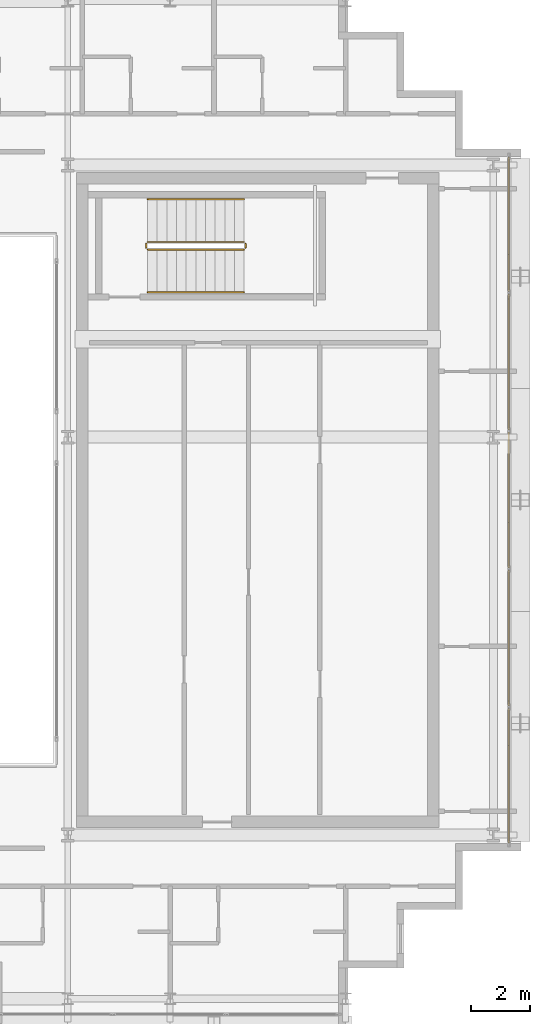
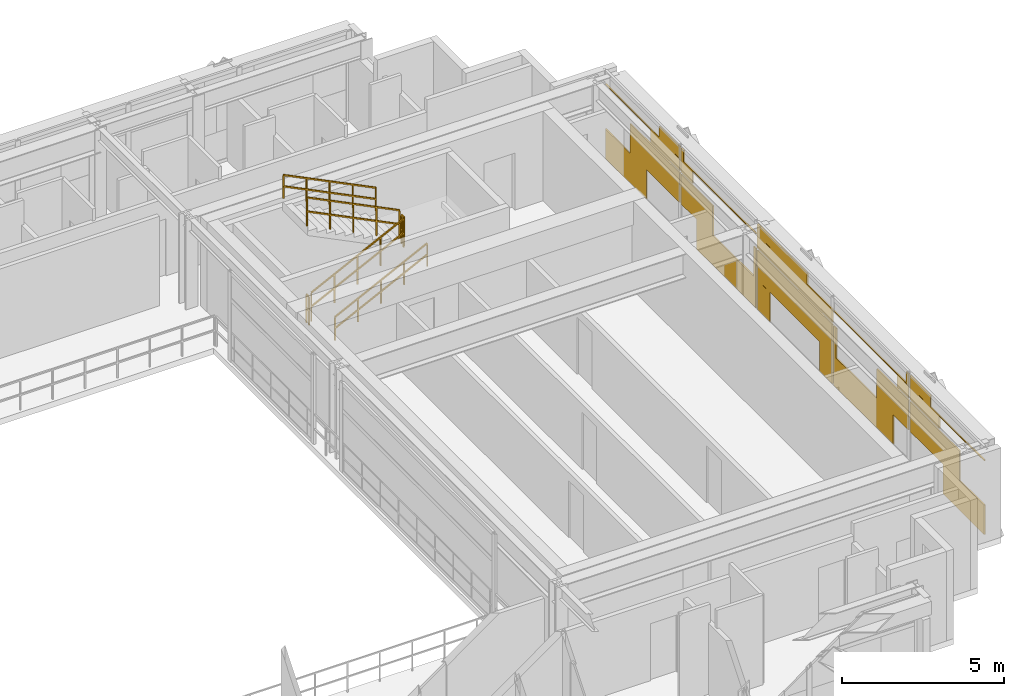
# One storey, part 28 of 29: 6 railings, 1 covering.
"""IFC4 building model written with IfcOpenShell, lengths in metres."""

import ifcopenshell
import ifcopenshell.guid

model = None  # the IFC model being written
_history = None  # IfcOwnerHistory: only IFC2X3 demands one
_inside = {}  # id of a spatial element -> (the spatial element, [elements in it])
_under = {}  # id of a project, library or spatial element -> (it, [spatial elements below it])
_declared = {}  # id of a project -> (the project, [libraries it declares])
_typed = {}  # id of a type object -> (the type object, [elements of that type])
_made_of = {}  # id of a material, layer set ... -> (it, [elements and type objects made of it])


def new_model(schema):
    """Start an empty IFC model of exactly this schema.

    Asked for "IFC4X3", IfcOpenShell would pick the latest addendum, in which some entities
    have other attributes; the version numbers below select the first issue.
    IFC2X3 requires an IfcOwnerHistory on every rooted entity: one is made here for all.
    """
    global model, _history
    if schema == "IFC4X3":
        model = ifcopenshell.file(schema_version=(4, 3, 0, 0))
    else:
        model = ifcopenshell.file(schema=schema)
    _inside.clear()
    _under.clear()
    _declared.clear()
    _typed.clear()
    _made_of.clear()
    _history = None
    if model.schema == "IFC2X3":
        org = make("IfcOrganization", Name="unknown")
        user = make(
            "IfcPersonAndOrganization",
            ThePerson=make("IfcPerson", FamilyName="unknown"),
            TheOrganization=org,
        )
        app = make(
            "IfcApplication",
            ApplicationDeveloper=org,
            Version="unknown",
            ApplicationFullName="unknown",
            ApplicationIdentifier="unknown",
        )
        _history = make(
            "IfcOwnerHistory",
            OwningUser=user,
            OwningApplication=app,
            ChangeAction="ADDED",
            CreationDate=0,
        )
    return model


def make(cls, **values):
    """One entity of the class cls with the attributes given. An attribute that is None is left unset."""
    return model.create_entity(
        cls, **{name: value for name, value in values.items() if value is not None}
    )


def rooted(cls, **values):
    """An entity with a GlobalId (a new one), such as an element, a storey or a relation."""
    return make(cls, GlobalId=ifcopenshell.guid.new(), OwnerHistory=_history, **values)


def si_unit(unit_type, name, prefix=None):
    """IfcSIUnit, for example si_unit("LENGTHUNIT", "METRE", prefix="MILLI")."""
    return make("IfcSIUnit", UnitType=unit_type, Prefix=prefix, Name=name)


def assignment(units):
    """IfcUnitAssignment: the units of a project."""
    return None if units is None else make("IfcUnitAssignment", Units=units)


def point(xyz):
    """IfcCartesianPoint."""
    return None if xyz is None else make("IfcCartesianPoint", Coordinates=xyz)


def direction(xyz):
    """IfcDirection."""
    return None if xyz is None else make("IfcDirection", DirectionRatios=xyz)


def frame(location, z_axis=None, x_axis=None):
    """IfcAxis2Placement3D, a coordinate frame: its origin and axes. An axis left out is left unset."""
    return make(
        "IfcAxis2Placement3D",
        Location=point(location),
        Axis=direction(z_axis),
        RefDirection=direction(x_axis),
    )


def frame_2d(location, x_axis=None):
    """IfcAxis2Placement2D, a coordinate frame in the plane: its origin and x axis."""
    return make(
        "IfcAxis2Placement2D", Location=point(location), RefDirection=direction(x_axis)
    )


def origin():
    """The frame at (0, 0, 0) with its axes left unset."""
    return frame((0.0, 0.0, 0.0))


def origin_2d():
    """The frame at (0, 0) in the plane with its x axis left unset."""
    return frame_2d((0.0, 0.0))


def place(relative_to, where):
    """IfcLocalPlacement: puts the frame where relative to a parent placement (None: the world)."""
    return make(
        "IfcLocalPlacement", PlacementRelTo=relative_to, RelativePlacement=where
    )


def context(
    kind, dimensions, precision=None, world=None, true_north=None, identifier=None
):
    """IfcGeometricRepresentationContext, for example the 3D "Model" context."""
    return make(
        "IfcGeometricRepresentationContext",
        ContextIdentifier=identifier,
        ContextType=kind,
        CoordinateSpaceDimension=dimensions,
        Precision=precision,
        WorldCoordinateSystem=world,
        TrueNorth=true_north,
    )


def subcontext(parent, identifier, kind, view, scale=None):
    """IfcGeometricRepresentationSubContext, for example "Body" below "Model"."""
    return make(
        "IfcGeometricRepresentationSubContext",
        ContextIdentifier=identifier,
        ContextType=kind,
        ParentContext=parent,
        TargetScale=scale,
        TargetView=view,
    )


def project(units=None, contexts=None):
    """IfcProject with its units and contexts."""
    return rooted(
        "IfcProject",
        Name="project",
        RepresentationContexts=contexts,
        UnitsInContext=assignment(units),
    )


def spatial(cls, under=None, at=None, **own):
    """A site, building, storey or space (cls), placed at a placement, below another one or the project."""
    s = rooted(cls, ObjectPlacement=at, **own)
    if under is not None:
        _under.setdefault(under.id(), (under, []))[1].append(s)
    return s


def profile(cls, at=None, kind="AREA", **sizes):
    """A parametric profile (cls). Its sizes go by their IFC names, for example OverallWidth=200.0."""
    return make(cls, ProfileType=kind, Position=at, **sizes)


def rectangle(**sizes):
    """IfcRectangleProfileDef."""
    return profile("IfcRectangleProfileDef", **sizes)


def extrude(swept, where, along, depth):
    """IfcExtrudedAreaSolid: the profile swept, set in the frame where, extruded along a direction by depth."""
    return make(
        "IfcExtrudedAreaSolid",
        SweptArea=swept,
        Position=where,
        ExtrudedDirection=direction(along),
        Depth=depth,
    )


def shape(context_of_items, identifier, shape_type, items):
    """IfcShapeRepresentation: the items that make up one representation, for example the "Body"."""
    return make(
        "IfcShapeRepresentation",
        ContextOfItems=context_of_items,
        RepresentationIdentifier=identifier,
        RepresentationType=shape_type,
        Items=items,
    )


def material(Name=None, Category=None):
    """IfcMaterial."""
    return make("IfcMaterial", Name=Name, Category=Category)


def layer(
    of_material, thickness, ventilated=None, Name=None, Category=None, Priority=None
):
    """IfcMaterialLayer: one layer of a wall or slab, of a material (None: an air gap)."""
    return make(
        "IfcMaterialLayer",
        Material=of_material,
        LayerThickness=thickness,
        IsVentilated=ventilated,
        Name=Name,
        Category=Category,
        Priority=Priority,
    )


def layer_set(layers, Name=None):
    """IfcMaterialLayerSet."""
    return make("IfcMaterialLayerSet", MaterialLayers=layers, LayerSetName=Name)


def made_of(thing, what):
    """Note that an element or type object is made of a material, layer set ...; save() writes the relation."""
    if what is not None:
        _made_of.setdefault(what.id(), (what, []))[1].append(thing)
    return thing


def type_object(cls, material=None, **own):
    """A type object (cls), such as IfcWallType, which elements share."""
    return made_of(rooted(cls, **own), material)


def element(
    cls,
    number,
    at=None,
    inside=None,
    cuts=None,
    type_object=None,
    material=None,
    context=None,
    identifier="Body",
    shape_type=None,
    held_by="IfcProductDefinitionShape",
    body=None,
    shapes=None,
    **own,
):
    """One element of the class cls, such as IfcWall. Its Tag is "e" and its number.

    at: its placement. inside: the storey or other place that contains it. cuts: it is an
    opening in that element (IfcRelVoidsElement). A single representation is given by context,
    identifier, shape_type and body (its items); several are given by shapes. held_by: the class
    of the entity that holds the representations. save() writes the other relations.
    """
    e = rooted(cls, Tag="e%d" % number, ObjectPlacement=at, **own)
    if body is not None:
        shapes = [shape(context, identifier, shape_type, body)]
    if shapes is not None:
        e.Representation = make(held_by, Representations=shapes)
    if inside is not None:
        _inside.setdefault(inside.id(), (inside, []))[1].append(e)
    if cuts is not None:
        rooted(
            "IfcRelVoidsElement", RelatingBuildingElement=cuts, RelatedOpeningElement=e
        )
    if type_object is not None:
        _typed.setdefault(type_object.id(), (type_object, []))[1].append(e)
    return made_of(e, material)


def aggregate(whole, parts):
    """IfcRelAggregates: a whole, such as a stair, and the parts it consists of."""
    return rooted("IfcRelAggregates", RelatingObject=whole, RelatedObjects=parts)


def save(model, path):
    """Write the relations noted so far, then the file.

    IfcRelAggregates (storeys below a building ...), IfcRelContainedInSpatialStructure (elements
    in a storey), IfcRelDefinesByType, IfcRelAssociatesMaterial and IfcRelDeclares: one each for
    every whole, place, type object, material and project.
    """
    for whole, parts in _under.values():
        aggregate(whole, parts)
    for where, things in _inside.values():
        rooted(
            "IfcRelContainedInSpatialStructure",
            RelatedElements=things,
            RelatingStructure=where,
        )
    for kind, things in _typed.values():
        rooted("IfcRelDefinesByType", RelatedObjects=things, RelatingType=kind)
    for what, things in _made_of.values():
        rooted("IfcRelAssociatesMaterial", RelatedObjects=things, RelatingMaterial=what)
    for by, libraries in _declared.values():
        rooted("IfcRelDeclares", RelatingContext=by, RelatedDefinitions=libraries)
    model.write(path)


model = new_model("IFC4")

# Units and contexts
model_context = context("Model", 3, precision=1e-05, world=origin(), true_north=direction((0.0, 1.0)))
body_context = subcontext(model_context, "Body", "Model", "MODEL_VIEW")
ifc_project = project(units=[si_unit("LENGTHUNIT", "METRE"), si_unit("AREAUNIT", "SQUARE_METRE"), si_unit("VOLUMEUNIT", "CUBIC_METRE"), si_unit("PLANEANGLEUNIT", "RADIAN"), si_unit("MASSUNIT", "GRAM", prefix="KILO")], contexts=[model_context])

# Site, building, storey
site_placement = place(None, origin())
site = spatial("IfcSite", under=ifc_project, at=site_placement, CompositionType="ELEMENT")
building_placement = place(site_placement, origin())
building = spatial("IfcBuilding", under=site, at=building_placement, Name="Ocotamira Hotel", CompositionType="ELEMENT")
storey_placement = place(building_placement, frame((0.0, 0.0, 236.39990234375)))
storey = spatial("IfcBuildingStorey", under=building, at=storey_placement, Name="L59", CompositionType="ELEMENT", Elevation=236.39990234375)

# Covering
ifc_material_1 = material(Name="Insulated pale-metal aluminium spandrel panel", Category="aluminium")
ifc_layer = layer(ifc_material_1, 0.044921875)
ifc_layer_set = layer_set([ifc_layer], Name="Insulated pale-metal aluminium spandrel panel")
covering_type = type_object("IfcCoveringType", Name="COV-INFILL-45", PredefinedType="CLADDING", material=ifc_layer_set)
covering_placement = place(storey_placement, origin())
element("IfcCovering", 1, at=covering_placement, inside=storey, type_object=covering_type, Name="L59 Curtain Wall Infill CW-5 CW-L59-E", PredefinedType="CLADDING", context=body_context, shape_type="SweptSolid", body=[
    extrude(rectangle(XDim=2.54296875, YDim=0.044921875, at=origin_2d()), frame((55.580078125, 15.552001953125, 0.07568359375), z_axis=(0.0, 0.0, 1.0), x_axis=(0.0, 1.0, 0.0)), (0.0, 0.0, 1.0), 1.117919921875),
    extrude(rectangle(XDim=3.0751953125, YDim=0.044921875, at=origin_2d()), frame((55.580078125, 17.341796875, 1.1943359375), z_axis=(0.0, 0.0, 1.0), x_axis=(0.0, 1.0, 0.0)), (0.0, 0.0, 1.0), 1.117919921875),
    extrude(rectangle(XDim=4.59912109375, YDim=0.044921875, at=origin_2d()), frame((55.580078125, 16.580078125, 2.85888671875), z_axis=(0.0, 0.0, 1.0), x_axis=(0.0, 1.0, 0.0)), (0.0, 0.0, 1.0), 0.033203125),
    extrude(rectangle(XDim=1.809814453125, YDim=0.044921875, at=origin_2d()), frame((55.580078125, 17.974609375, 2.38818359375), z_axis=(0.0, 0.0, 1.0), x_axis=(0.0, 1.0, 0.0)), (0.0, 0.0, 1.0), 0.4697265625),
    extrude(rectangle(XDim=1.274169921875, YDim=0.044921875, at=origin_2d()), frame((55.580078125, 18.242431640625, 2.89306640625), z_axis=(0.0, 0.0, 1.0), x_axis=(0.0, 1.0, 0.0)), (0.0, 0.0, 1.0), 0.41162109375),
    extrude(rectangle(XDim=1.968505859375, YDim=0.044921875, at=origin_2d()), frame((55.580078125, 19.944580078125, 1.1943359375), z_axis=(0.0, 0.0, 1.0), x_axis=(0.0, 1.0, 0.0)), (0.0, 0.0, 1.0), 1.117919921875),
    extrude(rectangle(XDim=3.689697265625, YDim=0.044921875, at=origin_2d()), frame((55.580078125, 21.754638671875, 0.07568359375), z_axis=(0.0, 0.0, 1.0), x_axis=(0.0, 1.0, 0.0)), (0.0, 0.0, 1.0), 1.117919921875),
    extrude(rectangle(XDim=0.161865234375, YDim=0.044921875, at=origin_2d()), frame((55.580078125, 23.5185546875, 1.1943359375), z_axis=(0.0, 0.0, 1.0), x_axis=(0.0, 1.0, 0.0)), (0.0, 0.0, 1.0), 1.117919921875),
    extrude(rectangle(XDim=0.702880859375, YDim=0.044921875, at=origin_2d()), frame((55.580078125, 19.31201171875, 2.38818359375), z_axis=(0.0, 0.0, 1.0), x_axis=(0.0, 1.0, 0.0)), (0.0, 0.0, 1.0), 0.4697265625),
    extrude(rectangle(XDim=4.638916015625, YDim=0.044921875, at=origin_2d()), frame((55.580078125, 21.280029296875, 2.85888671875), z_axis=(0.0, 0.0, 1.0), x_axis=(0.0, 1.0, 0.0)), (0.0, 0.0, 1.0), 0.033203125),
    extrude(rectangle(XDim=0.16748046875, YDim=0.044921875, at=origin_2d()), frame((55.580078125, 19.044189453125, 2.89306640625), z_axis=(0.0, 0.0, 1.0), x_axis=(0.0, 1.0, 0.0)), (0.0, 0.0, 1.0), 0.41162109375),
    extrude(rectangle(XDim=0.7763671875, YDim=0.044921875, at=origin_2d()), frame((55.580078125, 24.068603515625, 0.07568359375), z_axis=(0.0, 0.0, 1.0), x_axis=(0.0, 1.0, 0.0)), (0.0, 0.0, 1.0), 1.117919921875),
    extrude(rectangle(XDim=4.638916015625, YDim=0.044921875, at=origin_2d()), frame((55.580078125, 26.0, 1.1943359375), z_axis=(0.0, 0.0, 1.0), x_axis=(0.0, 1.0, 0.0)), (0.0, 0.0, 1.0), 1.117919921875),
    extrude(rectangle(XDim=0.7763671875, YDim=0.044921875, at=origin_2d()), frame((55.580078125, 27.931396484375, 0.07568359375), z_axis=(0.0, 0.0, 1.0), x_axis=(0.0, 1.0, 0.0)), (0.0, 0.0, 1.0), 1.117919921875),
    extrude(rectangle(XDim=4.638916015625, YDim=0.044921875, at=origin_2d()), frame((55.580078125, 26.0, 2.38818359375), z_axis=(0.0, 0.0, 1.0), x_axis=(0.0, 1.0, 0.0)), (0.0, 0.0, 1.0), 0.50390625),
    extrude(rectangle(XDim=3.080810546875, YDim=0.044921875, at=origin_2d()), frame((55.580078125, 26.779052734375, 2.89306640625), z_axis=(0.0, 0.0, 1.0), x_axis=(0.0, 1.0, 0.0)), (0.0, 0.0, 1.0), 0.41162109375),
    extrude(rectangle(XDim=3.689697265625, YDim=0.044921875, at=origin_2d()), frame((55.580078125, 30.245361328125, 0.07568359375), z_axis=(0.0, 0.0, 1.0), x_axis=(0.0, 1.0, 0.0)), (0.0, 0.0, 1.0), 1.117919921875),
    extrude(rectangle(XDim=0.161865234375, YDim=0.044921875, at=origin_2d()), frame((55.580078125, 28.4814453125, 1.1943359375), z_axis=(0.0, 0.0, 1.0), x_axis=(0.0, 1.0, 0.0)), (0.0, 0.0, 1.0), 1.117919921875),
    extrude(rectangle(XDim=1.968505859375, YDim=0.044921875, at=origin_2d()), frame((55.580078125, 32.055419921875, 1.1943359375), z_axis=(0.0, 0.0, 1.0), x_axis=(0.0, 1.0, 0.0)), (0.0, 0.0, 1.0), 1.117919921875),
    extrude(rectangle(XDim=4.638916015625, YDim=0.044921875, at=origin_2d()), frame((55.580078125, 30.719970703125, 2.85888671875), z_axis=(0.0, 0.0, 1.0), x_axis=(0.0, 1.0, 0.0)), (0.0, 0.0, 1.0), 0.033203125),
    extrude(rectangle(XDim=0.702880859375, YDim=0.044921875, at=origin_2d()), frame((55.580078125, 32.68798828125, 2.38818359375), z_axis=(0.0, 0.0, 1.0), x_axis=(0.0, 1.0, 0.0)), (0.0, 0.0, 1.0), 0.4697265625),
    extrude(rectangle(XDim=0.16748046875, YDim=0.044921875, at=origin_2d()), frame((55.580078125, 32.955810546875, 2.89306640625), z_axis=(0.0, 0.0, 1.0), x_axis=(0.0, 1.0, 0.0)), (0.0, 0.0, 1.0), 0.41162109375),
    extrude(rectangle(XDim=3.0751953125, YDim=0.044921875, at=origin_2d()), frame((55.580078125, 34.658203125, 1.1943359375), z_axis=(0.0, 0.0, 1.0), x_axis=(0.0, 1.0, 0.0)), (0.0, 0.0, 1.0), 1.117919921875),
    extrude(rectangle(XDim=2.54296875, YDim=0.044921875, at=origin_2d()), frame((55.580078125, 36.447998046875, 0.07568359375), z_axis=(0.0, 0.0, 1.0), x_axis=(0.0, 1.0, 0.0)), (0.0, 0.0, 1.0), 1.117919921875),
    extrude(rectangle(XDim=1.809814453125, YDim=0.044921875, at=origin_2d()), frame((55.580078125, 34.025390625, 2.38818359375), z_axis=(0.0, 0.0, 1.0), x_axis=(0.0, 1.0, 0.0)), (0.0, 0.0, 1.0), 0.4697265625),
    extrude(rectangle(XDim=4.59912109375, YDim=0.044921875, at=origin_2d()), frame((55.580078125, 35.419921875, 2.85888671875), z_axis=(0.0, 0.0, 1.0), x_axis=(0.0, 1.0, 0.0)), (0.0, 0.0, 1.0), 0.033203125),
    extrude(rectangle(XDim=1.274169921875, YDim=0.044921875, at=origin_2d()), frame((55.580078125, 33.757568359375, 2.89306640625), z_axis=(0.0, 0.0, 1.0), x_axis=(0.0, 1.0, 0.0)), (0.0, 0.0, 1.0), 0.41162109375),
])

# Railings
ifc_material_2 = material(Name="Brushed stainless steel handrail", Category="steel")
railing_type_1 = type_object("IfcRailingType", Name="RL-HAND-900", PredefinedType="HANDRAIL", material=ifc_material_2)
railing_1_placement = place(storey_placement, frame((43.22998046875, 33.10009765625, 0.327392578125)))
element("IfcRailing", 2, at=railing_1_placement, inside=storey, type_object=railing_type_1, Name="L59 ST-4 stair handrail 1", PredefinedType="HANDRAIL", context=body_context, shape_type="SweptSolid", body=[
    extrude(rectangle(XDim=0.048095703125, YDim=0.048095703125, at=origin_2d()), frame((0.0, 0.0, 0.8759765625), z_axis=(0.895920123917, 0.0, 0.444215186098), x_axis=(0.0, 1.0, 0.0)), (0.0, 0.0, 1.0), 3.683349609375),
    extrude(rectangle(XDim=0.048095703125, YDim=0.048095703125, at=origin_2d()), frame((0.0, 0.0, 0.449951171875), z_axis=(0.895920123917, 0.0, 0.444215186098), x_axis=(0.0, 1.0, 0.0)), (0.0, 0.0, 1.0), 3.683349609375),
    extrude(rectangle(XDim=0.0419921875, YDim=0.0419921875, at=origin_2d()), origin(), (0.0, 0.0, 1.0), 0.851806640625),
    extrude(rectangle(XDim=0.0419921875, YDim=0.0419921875, at=origin_2d()), frame((0.824951171875, 0.0, 0.4091796875)), (0.0, 0.0, 1.0), 0.851806640625),
    extrude(rectangle(XDim=0.0419921875, YDim=0.0419921875, at=origin_2d()), frame((1.64990234375, 0.0, 0.818115234375)), (0.0, 0.0, 1.0), 0.851806640625),
    extrude(rectangle(XDim=0.0419921875, YDim=0.0419921875, at=origin_2d()), frame((2.47509765625, 0.0, 1.22705078125)), (0.0, 0.0, 1.0), 0.851806640625),
    extrude(rectangle(XDim=0.0419921875, YDim=0.0419921875, at=origin_2d()), frame((3.300048828125, 0.0, 1.63623046875)), (0.0, 0.0, 1.0), 0.851806640625),
])
railing_2_placement = place(storey_placement, frame((46.530029296875, 36.280029296875, 2.12744140625)))
element("IfcRailing", 3, at=railing_2_placement, inside=storey, type_object=railing_type_1, Name="L59 ST-4 stair handrail 2", PredefinedType="HANDRAIL", context=body_context, shape_type="SweptSolid", body=[
    extrude(rectangle(XDim=0.048095703125, YDim=0.048095703125, at=origin_2d()), frame((0.0, 0.0, 0.8759765625), z_axis=(-0.895920123917, 0.0, 0.444215186098), x_axis=(0.0, -1.0, 0.0)), (0.0, 0.0, 1.0), 3.683349609375),
    extrude(rectangle(XDim=0.048095703125, YDim=0.048095703125, at=origin_2d()), frame((0.0, 0.0, 0.449951171875), z_axis=(-0.895920123917, 0.0, 0.444215186098), x_axis=(0.0, -1.0, 0.0)), (0.0, 0.0, 1.0), 3.683349609375),
    extrude(rectangle(XDim=0.0419921875, YDim=0.0419921875, at=origin_2d()), origin(), (0.0, 0.0, 1.0), 0.851806640625),
    extrude(rectangle(XDim=0.0419921875, YDim=0.0419921875, at=origin_2d()), frame((-0.824951171875, 0.0, 0.4091796875)), (0.0, 0.0, 1.0), 0.851806640625),
    extrude(rectangle(XDim=0.0419921875, YDim=0.0419921875, at=origin_2d()), frame((-1.64990234375, 0.0, 0.818115234375)), (0.0, 0.0, 1.0), 0.851806640625),
    extrude(rectangle(XDim=0.0419921875, YDim=0.0419921875, at=origin_2d()), frame((-2.47509765625, 0.0, 1.22705078125)), (0.0, 0.0, 1.0), 0.851806640625),
    extrude(rectangle(XDim=0.0419921875, YDim=0.0419921875, at=origin_2d()), frame((-3.300048828125, 0.0, 1.63623046875)), (0.0, 0.0, 1.0), 0.851806640625),
])
ifc_material_3 = material(Name="Painted steel stair guardrail", Category="steel")
railing_type_2 = type_object("IfcRailingType", Name="RL-STAIR-1100", PredefinedType="GUARDRAIL", material=ifc_material_3)
railing_3_placement = place(storey_placement, frame((43.22998046875, 34.56005859375, 0.163818359375)))
element("IfcRailing", 4, at=railing_3_placement, inside=storey, type_object=railing_type_2, Name="L59 ST-4 stair guard 1", PredefinedType="GUARDRAIL", context=body_context, shape_type="SweptSolid", body=[
    extrude(rectangle(XDim=0.048095703125, YDim=0.048095703125, at=origin_2d()), frame((0.0, 0.0, 1.076171875), z_axis=(0.895920123917, 0.0, 0.444215186098), x_axis=(0.0, 1.0, 0.0)), (0.0, 0.0, 1.0), 3.683349609375),
    extrude(rectangle(XDim=0.048095703125, YDim=0.048095703125, at=origin_2d()), frame((0.0, 0.0, 0.550048828125), z_axis=(0.895920123917, 0.0, 0.444215186098), x_axis=(0.0, 1.0, 0.0)), (0.0, 0.0, 1.0), 3.683349609375),
    extrude(rectangle(XDim=0.0419921875, YDim=0.0419921875, at=origin_2d()), origin(), (0.0, 0.0, 1.0), 1.052001953125),
    extrude(rectangle(XDim=0.0419921875, YDim=0.0419921875, at=origin_2d()), frame((0.824951171875, 0.0, 0.4091796875)), (0.0, 0.0, 1.0), 1.052001953125),
    extrude(rectangle(XDim=0.0419921875, YDim=0.0419921875, at=origin_2d()), frame((1.64990234375, 0.0, 0.818115234375)), (0.0, 0.0, 1.0), 1.052001953125),
    extrude(rectangle(XDim=0.0419921875, YDim=0.0419921875, at=origin_2d()), frame((2.47509765625, 0.0, 1.22705078125)), (0.0, 0.0, 1.0), 1.052001953125),
    extrude(rectangle(XDim=0.0419921875, YDim=0.0419921875, at=origin_2d()), frame((3.300048828125, 0.0, 1.63623046875)), (0.0, 0.0, 1.0), 1.052001953125),
])
railing_4_placement = place(storey_placement, frame((46.580078125, 34.610107421875, 1.800048828125)))
element("IfcRailing", 5, at=railing_4_placement, inside=storey, type_object=railing_type_2, Name="L59 ST-4 stair guard 2", PredefinedType="GUARDRAIL", context=body_context, shape_type="SweptSolid", body=[
    extrude(rectangle(XDim=0.048095703125, YDim=0.048095703125, at=origin_2d()), frame((0.0, 0.0, 1.076171875), z_axis=(0.0, 1.0, 0.0), x_axis=(-1.0, 0.0, 0.0)), (0.0, 0.0, 1.0), 0.159912109375),
    extrude(rectangle(XDim=0.048095703125, YDim=0.048095703125, at=origin_2d()), frame((0.0, 0.0, 0.550048828125), z_axis=(0.0, 1.0, 0.0), x_axis=(-1.0, 0.0, 0.0)), (0.0, 0.0, 1.0), 0.159912109375),
    extrude(rectangle(XDim=0.0419921875, YDim=0.0419921875, at=origin_2d()), origin(), (0.0, 0.0, 1.0), 1.052001953125),
    extrude(rectangle(XDim=0.0419921875, YDim=0.0419921875, at=origin_2d()), frame((0.0, 0.159912109375, 0.0)), (0.0, 0.0, 1.0), 1.052001953125),
])
railing_5_placement = place(storey_placement, frame((46.530029296875, 34.820068359375, 1.963623046875)))
element("IfcRailing", 6, at=railing_5_placement, inside=storey, type_object=railing_type_2, Name="L59 ST-4 stair guard 3", PredefinedType="GUARDRAIL", context=body_context, shape_type="SweptSolid", body=[
    extrude(rectangle(XDim=0.048095703125, YDim=0.048095703125, at=origin_2d()), frame((0.0, 0.0, 1.076171875), z_axis=(-0.895893744519, 0.0, 0.4442683857), x_axis=(0.0, -1.0, 0.0)), (0.0, 0.0, 1.0), 3.68359375),
    extrude(rectangle(XDim=0.048095703125, YDim=0.048095703125, at=origin_2d()), frame((0.0, 0.0, 0.550048828125), z_axis=(-0.895893744519, 0.0, 0.4442683857), x_axis=(0.0, -1.0, 0.0)), (0.0, 0.0, 1.0), 3.68359375),
    extrude(rectangle(XDim=0.0419921875, YDim=0.0419921875, at=origin_2d()), origin(), (0.0, 0.0, 1.0), 1.052001953125),
    extrude(rectangle(XDim=0.0419921875, YDim=0.0419921875, at=origin_2d()), frame((-0.824951171875, 0.0, 0.4091796875)), (0.0, 0.0, 1.0), 1.052001953125),
    extrude(rectangle(XDim=0.0419921875, YDim=0.0419921875, at=origin_2d()), frame((-1.64990234375, 0.0, 0.818359375)), (0.0, 0.0, 1.0), 1.052001953125),
    extrude(rectangle(XDim=0.0419921875, YDim=0.0419921875, at=origin_2d()), frame((-2.47509765625, 0.0, 1.227294921875)), (0.0, 0.0, 1.0), 1.052001953125),
    extrude(rectangle(XDim=0.0419921875, YDim=0.0419921875, at=origin_2d()), frame((-3.300048828125, 0.0, 1.636474609375)), (0.0, 0.0, 1.0), 1.052001953125),
])
railing_6_placement = place(storey_placement, frame((43.179931640625, 34.610107421875, 0.0)))
element("IfcRailing", 7, at=railing_6_placement, inside=storey, type_object=railing_type_2, Name="L59 ST-4 stair guard 4", PredefinedType="GUARDRAIL", context=body_context, shape_type="SweptSolid", body=[
    extrude(rectangle(XDim=0.048095703125, YDim=0.048095703125, at=origin_2d()), frame((0.0, 0.0, 1.076171875), z_axis=(0.0, 1.0, 0.0), x_axis=(-1.0, 0.0, 0.0)), (0.0, 0.0, 1.0), 0.159912109375),
    extrude(rectangle(XDim=0.048095703125, YDim=0.048095703125, at=origin_2d()), frame((0.0, 0.0, 0.550048828125), z_axis=(0.0, 1.0, 0.0), x_axis=(-1.0, 0.0, 0.0)), (0.0, 0.0, 1.0), 0.159912109375),
    extrude(rectangle(XDim=0.0419921875, YDim=0.0419921875, at=origin_2d()), origin(), (0.0, 0.0, 1.0), 1.052001953125),
    extrude(rectangle(XDim=0.0419921875, YDim=0.0419921875, at=origin_2d()), frame((0.0, 0.159912109375, 0.0)), (0.0, 0.0, 1.0), 1.052001953125),
])

save(model, "model.ifc")
